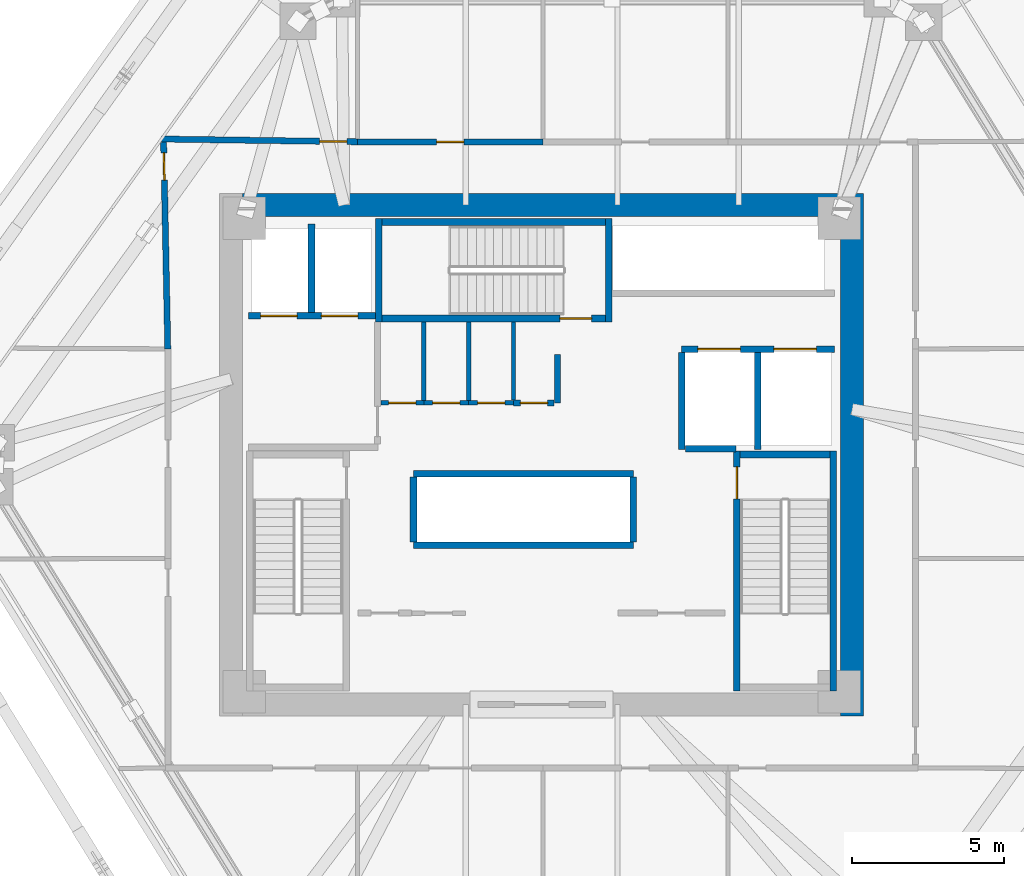
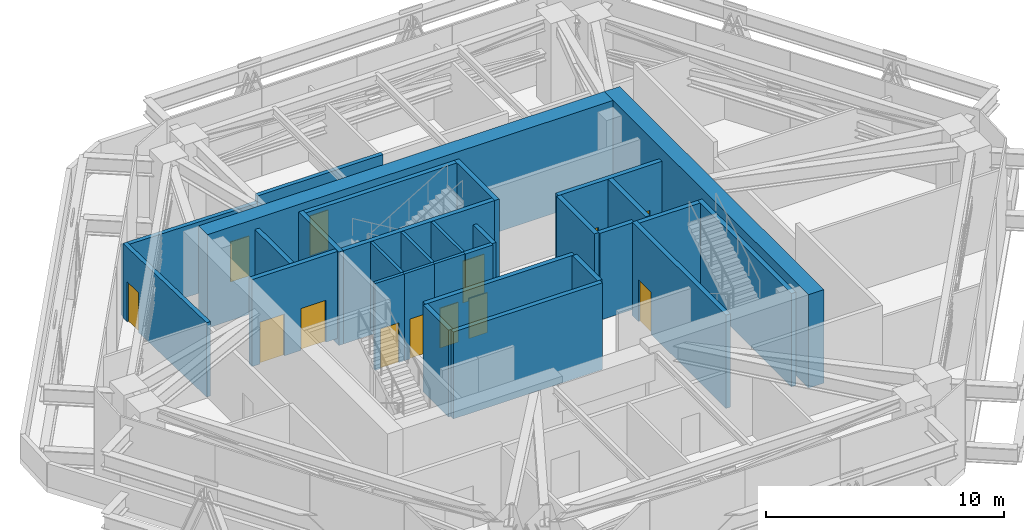
# One storey, part 9 of 11: 30 walls, 13 doors, 13 openings.
"""IFC4 building model written with IfcOpenShell, lengths in metres."""

from ifc_helpers import new_model, si_unit, direction, frame, frame_2d, origin, place, context, subcontext, project, spatial, rectangle, extrude, source, transform, mapped, material, layer, layer_set, type_object, type_shapes, element, fill, save


model = new_model("IFC4")

# Units and contexts
model_context = context("Model", 3, precision=1e-05, world=origin(), true_north=direction((0.0, 1.0)))
body_context = subcontext(model_context, "Body", "Model", "MODEL_VIEW")
ifc_project = project(units=[si_unit("LENGTHUNIT", "METRE"), si_unit("AREAUNIT", "SQUARE_METRE"), si_unit("VOLUMEUNIT", "CUBIC_METRE"), si_unit("PLANEANGLEUNIT", "RADIAN"), si_unit("MASSUNIT", "GRAM", prefix="KILO")], contexts=[model_context])

# Site, building, storey
site_placement = place(None, origin())
site = spatial("IfcSite", under=ifc_project, at=site_placement, CompositionType="ELEMENT")
building_placement = place(site_placement, origin())
building = spatial("IfcBuilding", under=site, at=building_placement, Name="Durnholm Broadcast Tower", CompositionType="ELEMENT")
storey_placement = place(building_placement, frame((0.0, 0.0, 150.300048828125)))
storey = spatial("IfcBuildingStorey", under=building, at=storey_placement, Name="L41", CompositionType="ELEMENT", Elevation=150.300048828125)

# Walls
ifc_material_1 = material(Name="Concrete C70/85", Category="concrete")
ifc_layer_1 = layer(ifc_material_1, 0.75)
ifc_layer_set_1 = layer_set([ifc_layer_1], Name="Concrete C70/85")
wall_type_1 = type_object("IfcWallType", Name="WALL-CW-750", PredefinedType="SHEAR", material=ifc_layer_set_1)
wall_1_placement = place(storey_placement, frame((10.22509765625, -8.60009765625, 0.0), z_axis=(0.0, 0.0, 1.0), x_axis=(0.0, 1.0, 0.0)))
element("IfcWall", 1, at=wall_1_placement, inside=storey, type_object=wall_type_1, Name="L41 central core shear wall CW-EAST", PredefinedType="SHEAR", context=body_context, shape_type="SweptSolid", body=[
    extrude(rectangle(XDim=17.2001953125, YDim=0.75, at=frame_2d((8.60009765625, 0.0))), origin(), (0.0, 0.0, 1.0), 4.800048828125),
])
wall_2_placement = place(storey_placement, frame((-9.85009765625, 8.22509765625, 0.0), z_axis=(0.0, 0.0, 1.0), x_axis=(1.0, 0.0, 0.0)))
element("IfcWall", 2, at=wall_2_placement, inside=storey, type_object=wall_type_1, Name="L41 central core shear wall CW-N", PredefinedType="SHEAR", context=body_context, shape_type="SweptSolid", body=[
    extrude(rectangle(XDim=19.7001953125, YDim=0.75, at=frame_2d((9.85009765625, 0.0))), origin(), (0.0, 0.0, 1.0), 4.800048828125),
])
ifc_material_2 = material(Name="Fire-Rated Gypsum Shaftwall", Category="concrete")
ifc_layer_2 = layer(ifc_material_2, 0.199951171875)
ifc_layer_set_2 = layer_set([ifc_layer_2], Name="Fire-Rated Gypsum Shaftwall")
wall_type_2 = type_object("IfcWallType", Name="WALL-LOB-200", PredefinedType="SOLIDWALL", material=ifc_layer_set_2)
wall_3_placement = place(storey_placement, frame((0.52001953125, 3.300048828125, 0.0), z_axis=(0.0, 0.0, 1.0), x_axis=(0.0, -1.0, 0.0)))
element("IfcWall", 3, at=wall_3_placement, inside=storey, type_object=wall_type_2, Name="L41 Core Signal Sync Room corridor partition", PredefinedType="SOLIDWALL", context=body_context, shape_type="SweptSolid", body=[
    extrude(rectangle(XDim=1.590087890625, YDim=0.199951171875, at=frame_2d((0.794921875, 0.0))), origin(), (0.0, 0.0, 1.0), 4.46484375),
])

# Wall, opening, door
wall_4_placement = place(storey_placement, frame((0.416015625, 1.7099609375, 0.0), z_axis=(0.0, 0.0, 1.0), x_axis=(-1.0, 0.0, 0.0)))
wall_4 = element("IfcWall", 4, at=wall_4_placement, inside=storey, type_object=wall_type_2, Name="L41 Core Signal Sync Room corridor partition", PredefinedType="SOLIDWALL", context=body_context, shape_type="SweptSolid", body=[
    extrude(rectangle(XDim=1.3359375, YDim=0.199951171875, at=frame_2d((0.66796875, 0.0))), origin(), (0.0, 0.0, 1.0), 4.46484375),
])
opening_1_placement = place(wall_4_placement, frame((0.218017578125, 0.0, 0.0)))
opening_1 = element("IfcOpeningElement", 5, at=opening_1_placement, cuts=wall_4, Name="Opening DC-60R", PredefinedType="OPENING", context=body_context, shape_type="SweptSolid", body=[
    extrude(rectangle(XDim=0.89990234375, YDim=2.050048828125, at=frame_2d((0.449951171875, 1.02490234375))), frame((0.0, 0.10986328125, 0.0), z_axis=(0.0, -1.0, 0.0), x_axis=(1.0, 0.0, 0.0)), (0.0, 0.0, 1.0), 0.219970703125),
])
ifc_material_3 = material(Name="Fire-Rated Core Service Door", Category="steel")
ifc_layer_3 = layer(ifc_material_3, 0.050048828125)
ifc_layer_set_3 = layer_set([ifc_layer_3], Name="Fire-Rated Core Service Door")
door_type_1 = type_object("IfcDoorType", Name="DOOR-CORE-FD60-R", OperationType="NOTDEFINED", PredefinedType="DOOR", material=ifc_layer_set_3)
shared_shape_1 = source(origin(), body_context, "Body", "SweptSolid", [
    extrude(rectangle(XDim=0.89990234375, YDim=2.050048828125, at=frame_2d((0.449951171875, 1.02490234375))), frame((0.0, 0.02490234375, 0.0), z_axis=(0.0, -1.0, 0.0), x_axis=(1.0, 0.0, 0.0)), (0.0, 0.0, 1.0), 0.050048828125),
])
type_shapes(door_type_1, [shared_shape_1])
door_1_placement = place(opening_1_placement, origin())
door_1 = element("IfcDoor", 6, at=door_1_placement, inside=storey, type_object=door_type_1, Name="L41 Core Signal Sync Room entrance door", OperationType="SINGLE_SWING_RIGHT", OverallHeight=2.050048828125, OverallWidth=0.89990234375, PredefinedType="DOOR", context=body_context, shape_type="MappedRepresentation", body=[
    mapped(shared_shape_1, transform((0.0, 0.0, 0.0), x_axis=(1.0, 0.0, 0.0), y_axis=(0.0, 1.0, 0.0), z_axis=(0.0, 0.0, 1.0), scale=1.0)),
])
fill(opening_1, door_1)

wall_5_placement = place(storey_placement, frame((-6.06005859375, 10.31005859375, 0.0), z_axis=(0.0, 0.0, 1.0), x_axis=(-0.999899519245, 0.014175733232, 0.0)))
wall_5 = element("IfcWall", 7, at=wall_5_placement, inside=storey, type_object=wall_type_2, Name="L41 Mechanical Plant Room - Chilled Water Heat Exchanger corridor partition", PredefinedType="SOLIDWALL", context=body_context, shape_type="SweptSolid", body=[
    extrude(rectangle(XDim=6.45849609375, YDim=0.199951171875, at=frame_2d((3.229248046875, 0.0))), origin(), (0.0, 0.0, 1.0), 3.661865234375),
])
opening_2_placement = place(wall_5_placement, frame((0.35009765625, 0.0, 0.0)))
opening_2 = element("IfcOpeningElement", 8, at=opening_2_placement, cuts=wall_5, Name="Opening DC-60L", PredefinedType="OPENING", context=body_context, shape_type="SweptSolid", body=[
    extrude(rectangle(XDim=0.89990234375, YDim=2.050048828125, at=frame_2d((0.449951171875, 1.02490234375))), frame((0.0, 0.10986328125, 0.0), z_axis=(0.0, -1.0, 0.0), x_axis=(1.0, 0.0, 0.0)), (0.0, 0.0, 1.0), 0.219970703125),
])
ifc_layer_4 = layer(ifc_material_3, 0.050048828125)
ifc_layer_set_4 = layer_set([ifc_layer_4], Name="Fire-Rated Core Service Door")
door_type_2 = type_object("IfcDoorType", Name="DOOR-CORE-FD60-L", OperationType="NOTDEFINED", PredefinedType="DOOR", material=ifc_layer_set_4)
shared_shape_2 = source(origin(), body_context, "Body", "SweptSolid", [
    extrude(rectangle(XDim=0.89990234375, YDim=2.050048828125, at=frame_2d((0.449951171875, 1.02490234375))), frame((0.0, 0.02490234375, 0.0), z_axis=(0.0, -1.0, 0.0), x_axis=(1.0, 0.0, 0.0)), (0.0, 0.0, 1.0), 0.050048828125),
])
type_shapes(door_type_2, [shared_shape_2])
door_2_placement = place(opening_2_placement, origin())
door_2 = element("IfcDoor", 9, at=door_2_placement, inside=storey, type_object=door_type_2, Name="L41 Mechanical Plant Room - Chilled Water Heat Exchanger entrance door", OperationType="SINGLE_SWING_LEFT", OverallHeight=2.050048828125, OverallWidth=0.89990234375, PredefinedType="DOOR", context=body_context, shape_type="MappedRepresentation", body=[
    mapped(shared_shape_2, transform((0.0, 0.0, 0.0), x_axis=(1.0, 0.0, 0.0), y_axis=(0.0, 1.0, 0.0), z_axis=(0.0, 0.0, 1.0), scale=1.0)),
])
fill(opening_2, door_2)

wall_6_placement = place(storey_placement, frame((0.0400390625, 10.31005859375, 0.0), z_axis=(0.0, 0.0, 1.0), x_axis=(-1.0, 0.0, 0.0)))
wall_6 = element("IfcWall", 10, at=wall_6_placement, inside=storey, type_object=wall_type_2, Name="L41 Mechanical Plant Room - Dedicated Outdoor Air Handling corridor partition", PredefinedType="SOLIDWALL", context=body_context, shape_type="SweptSolid", body=[
    extrude(rectangle(XDim=6.10009765625, YDim=0.199951171875, at=frame_2d((3.050048828125, 0.0))), origin(), (0.0, 0.0, 1.0), 4.0283203125),
])
opening_3_placement = place(wall_6_placement, frame((2.60009765625, 0.0, 0.0)))
opening_3 = element("IfcOpeningElement", 11, at=opening_3_placement, cuts=wall_6, Name="Opening DC-60R", PredefinedType="OPENING", context=body_context, shape_type="SweptSolid", body=[
    extrude(rectangle(XDim=0.89990234375, YDim=2.050048828125, at=frame_2d((0.449951171875, 1.02490234375))), frame((0.0, 0.10986328125, 0.0), z_axis=(0.0, -1.0, 0.0), x_axis=(1.0, 0.0, 0.0)), (0.0, 0.0, 1.0), 0.219970703125),
])
door_3_placement = place(opening_3_placement, origin())
door_3 = element("IfcDoor", 12, at=door_3_placement, inside=storey, type_object=door_type_1, Name="L41 Mechanical Plant Room - Dedicated Outdoor Air Handling entrance door", OperationType="SINGLE_SWING_RIGHT", OverallHeight=2.050048828125, OverallWidth=0.89990234375, PredefinedType="DOOR", context=body_context, shape_type="MappedRepresentation", body=[
    mapped(shared_shape_1, transform((0.0, 0.0, 0.0), x_axis=(1.0, 0.0, 0.0), y_axis=(0.0, 1.0, 0.0), z_axis=(0.0, 0.0, 1.0), scale=1.0)),
])
fill(opening_3, door_3)

wall_7_placement = place(storey_placement, frame((-12.448974609375, 10.29638671875, 0.0), z_axis=(0.0, 0.0, 1.0), x_axis=(0.020190295039, -0.999796155217, 0.0)))
wall_7 = element("IfcWall", 13, at=wall_7_placement, inside=storey, type_object=wall_type_2, Name="L41 Mechanical Plant Room - Telecom Cooling Distribution corridor partition", PredefinedType="SOLIDWALL", context=body_context, shape_type="SweptSolid", body=[
    extrude(rectangle(XDim=6.807861328125, YDim=0.199951171875, at=frame_2d((3.40380859375, 0.0))), origin(), (0.0, 0.0, 1.0), 3.81884765625),
])
opening_4_placement = place(wall_7_placement, frame((0.35009765625, 0.0, 0.0)))
opening_4 = element("IfcOpeningElement", 14, at=opening_4_placement, cuts=wall_7, Name="Opening DC-60R", PredefinedType="OPENING", context=body_context, shape_type="SweptSolid", body=[
    extrude(rectangle(XDim=0.89990234375, YDim=2.050048828125, at=frame_2d((0.449951171875, 1.02490234375))), frame((0.0, 0.10986328125, 0.0), z_axis=(0.0, -1.0, 0.0), x_axis=(1.0, 0.0, 0.0)), (0.0, 0.0, 1.0), 0.219970703125),
])
door_4_placement = place(opening_4_placement, origin())
door_4 = element("IfcDoor", 15, at=door_4_placement, inside=storey, type_object=door_type_1, Name="L41 Mechanical Plant Room - Telecom Cooling Distribution entrance door", OperationType="SINGLE_SWING_RIGHT", OverallHeight=2.050048828125, OverallWidth=0.89990234375, PredefinedType="DOOR", context=body_context, shape_type="MappedRepresentation", body=[
    mapped(shared_shape_1, transform((0.0, 0.0, 0.0), x_axis=(1.0, 0.0, 0.0), y_axis=(0.0, 1.0, 0.0), z_axis=(0.0, 0.0, 1.0), scale=1.0)),
])
fill(opening_4, door_4)

# Walls
ifc_material_4 = material(Name="Gypsum Metal Stud Partition", Category="concrete")
ifc_layer_5 = layer(ifc_material_4, 0.135009765625)
ifc_layer_set_5 = layer_set([ifc_layer_5], Name="Gypsum Metal Stud Partition")
wall_type_3 = type_object("IfcWallType", Name="WALL-PART-135", PredefinedType="PARTITIONING", material=ifc_layer_set_5)
for number, where, z_axis, x_axis, name in (
    (16, (-3.8798828125, 4.375, 0.0), (0.0, 0.0, 1.0), (0.0, -1.0, 0.0), "L41 room dividing partition 4.5"),
    (17, (-2.39990234375, 4.375, 0.0), (0.0, 0.0, 1.0), (0.0, -1.0, 0.0), "L41 room dividing partition 5.6"),
):
    element("IfcWall", number, at=place(storey_placement, frame(where, z_axis=z_axis, x_axis=x_axis)), inside=storey, type_object=wall_type_3, Name=name, PredefinedType="PARTITIONING", context=body_context, shape_type="SweptSolid", body=[
        extrude(rectangle(XDim=2.5859375, YDim=0.135009765625, at=frame_2d((1.29296875, 0.0))), origin(), (0.0, 0.0, 1.0), 4.46484375),
    ])
wall_8_placement = place(storey_placement, frame((-0.919921875, 4.375, 0.0), z_axis=(0.0, 0.0, 1.0), x_axis=(0.0, -1.0, 0.0)))
element("IfcWall", 18, at=wall_8_placement, inside=storey, type_object=wall_type_3, Name="L41 room dividing partition 6.7", PredefinedType="PARTITIONING", context=body_context, shape_type="SweptSolid", body=[
    extrude(rectangle(XDim=2.56103515625, YDim=0.135009765625, at=frame_2d((1.280517578125, 0.0))), origin(), (0.0, 0.0, 1.0), 4.46484375),
])

# Wall, opening, door
ifc_material_5 = material(Name="Acoustic Gypsum Stud Partition", Category="concrete")
ifc_layer_6 = layer(ifc_material_5, 0.14990234375)
ifc_layer_set_6 = layer_set([ifc_layer_6], Name="Acoustic Gypsum Stud Partition")
wall_type_4 = type_object("IfcWallType", Name="WALL-PART-150", PredefinedType="PARTITIONING", material=ifc_layer_set_6)
wall_9_placement = place(storey_placement, frame((-3.8798828125, 1.7099609375, 0.0), z_axis=(0.0, 0.0, 1.0), x_axis=(-1.0, 0.0, 0.0)))
wall_9 = element("IfcWall", 19, at=wall_9_placement, inside=storey, type_object=wall_type_4, Name="L41 Core First Aid Store corridor partition", PredefinedType="PARTITIONING", context=body_context, shape_type="SweptSolid", body=[
    extrude(rectangle(XDim=1.416015625, YDim=0.14990234375, at=frame_2d((0.7080078125, 0.0))), origin(), (0.0, 0.0, 1.0), 4.46484375),
])
opening_5_placement = place(wall_9_placement, frame((0.258056640625, 0.0, 0.0)))
opening_5 = element("IfcOpeningElement", 20, at=opening_5_placement, cuts=wall_9, Name="Opening DC-60L", PredefinedType="OPENING", context=body_context, shape_type="SweptSolid", body=[
    extrude(rectangle(XDim=0.89990234375, YDim=2.050048828125, at=frame_2d((0.449951171875, 1.02490234375))), frame((0.0, 0.0849609375, 0.0), z_axis=(0.0, -1.0, 0.0), x_axis=(1.0, 0.0, 0.0)), (0.0, 0.0, 1.0), 0.169921875),
])
door_5_placement = place(opening_5_placement, origin())
door_5 = element("IfcDoor", 21, at=door_5_placement, inside=storey, type_object=door_type_2, Name="L41 Core First Aid Store entrance door", OperationType="SINGLE_SWING_LEFT", OverallHeight=2.050048828125, OverallWidth=0.89990234375, PredefinedType="DOOR", context=body_context, shape_type="MappedRepresentation", body=[
    mapped(shared_shape_2, transform((0.0, 0.0, 0.0), x_axis=(1.0, 0.0, 0.0), y_axis=(0.0, 1.0, 0.0), z_axis=(0.0, 0.0, 1.0), scale=1.0)),
])
fill(opening_5, door_5)

wall_10_placement = place(storey_placement, frame((-2.39990234375, 1.7099609375, 0.0), z_axis=(0.0, 0.0, 1.0), x_axis=(-1.0, 0.0, 0.0)))
wall_10 = element("IfcWall", 22, at=wall_10_placement, inside=storey, type_object=wall_type_4, Name="L41 Core Linen Supply Closet corridor partition", PredefinedType="PARTITIONING", context=body_context, shape_type="SweptSolid", body=[
    extrude(rectangle(XDim=1.47998046875, YDim=0.14990234375, at=frame_2d((0.739990234375, 0.0))), origin(), (0.0, 0.0, 1.0), 4.46484375),
])
opening_6_placement = place(wall_10_placement, frame((0.2900390625, 0.0, 0.0)))
opening_6 = element("IfcOpeningElement", 23, at=opening_6_placement, cuts=wall_10, Name="Opening DC-60R", PredefinedType="OPENING", context=body_context, shape_type="SweptSolid", body=[
    extrude(rectangle(XDim=0.89990234375, YDim=2.050048828125, at=frame_2d((0.449951171875, 1.02490234375))), frame((0.0, 0.0849609375, 0.0), z_axis=(0.0, -1.0, 0.0), x_axis=(1.0, 0.0, 0.0)), (0.0, 0.0, 1.0), 0.169921875),
])
door_6_placement = place(opening_6_placement, origin())
door_6 = element("IfcDoor", 24, at=door_6_placement, inside=storey, type_object=door_type_1, Name="L41 Core Linen Supply Closet entrance door", OperationType="SINGLE_SWING_RIGHT", OverallHeight=2.050048828125, OverallWidth=0.89990234375, PredefinedType="DOOR", context=body_context, shape_type="MappedRepresentation", body=[
    mapped(shared_shape_1, transform((0.0, 0.0, 0.0), x_axis=(1.0, 0.0, 0.0), y_axis=(0.0, 1.0, 0.0), z_axis=(0.0, 0.0, 1.0), scale=1.0)),
])
fill(opening_6, door_6)

wall_11_placement = place(storey_placement, frame((-0.919921875, 1.7099609375, 0.0), z_axis=(0.0, 0.0, 1.0), x_axis=(-1.0, 0.0, 0.0)))
wall_11 = element("IfcWall", 25, at=wall_11_placement, inside=storey, type_object=wall_type_4, Name="L41 Core Safety Gear Store corridor partition", PredefinedType="PARTITIONING", context=body_context, shape_type="SweptSolid", body=[
    extrude(rectangle(XDim=1.47998046875, YDim=0.14990234375, at=frame_2d((0.739990234375, 0.0))), origin(), (0.0, 0.0, 1.0), 4.46484375),
])
opening_7_placement = place(wall_11_placement, frame((0.2900390625, 0.0, 0.0)))
opening_7 = element("IfcOpeningElement", 26, at=opening_7_placement, cuts=wall_11, Name="Opening DC-60L", PredefinedType="OPENING", context=body_context, shape_type="SweptSolid", body=[
    extrude(rectangle(XDim=0.89990234375, YDim=2.050048828125, at=frame_2d((0.449951171875, 1.02490234375))), frame((0.0, 0.0849609375, 0.0), z_axis=(0.0, -1.0, 0.0), x_axis=(1.0, 0.0, 0.0)), (0.0, 0.0, 1.0), 0.169921875),
])
door_7_placement = place(opening_7_placement, origin())
door_7 = element("IfcDoor", 27, at=door_7_placement, inside=storey, type_object=door_type_2, Name="L41 Core Safety Gear Store entrance door", OperationType="SINGLE_SWING_LEFT", OverallHeight=2.050048828125, OverallWidth=0.89990234375, PredefinedType="DOOR", context=body_context, shape_type="MappedRepresentation", body=[
    mapped(shared_shape_2, transform((0.0, 0.0, 0.0), x_axis=(1.0, 0.0, 0.0), y_axis=(0.0, 1.0, 0.0), z_axis=(0.0, 0.0, 1.0), scale=1.0)),
])
fill(opening_7, door_7)

# Wall, openings, doors
ifc_material_6 = material(Name="Concrete Blockwork C30/37", Category="masonry")
ifc_layer_7 = layer(ifc_material_6, 0.219970703125)
ifc_layer_set_7 = layer_set([ifc_layer_7], Name="Concrete Blockwork C30/37")
wall_type_5 = type_object("IfcWallType", Name="WALL-SHAFT-220", PredefinedType="SOLIDWALL", material=ifc_layer_set_7)
wall_12_placement = place(storey_placement, frame((-9.64990234375, 4.580078125, 0.0), z_axis=(0.0, 0.0, 1.0), x_axis=(1.0, 0.0, 0.0)))
wall_12 = element("IfcWall", 28, at=wall_12_placement, inside=storey, type_object=wall_type_5, Name="L41 FSAE hoistway front fire wall", PredefinedType="SOLIDWALL", context=body_context, shape_type="SweptSolid", body=[
    extrude(rectangle(XDim=4.1748046875, YDim=0.219970703125, at=frame_2d((2.08740234375, 0.0))), origin(), (0.0, 0.0, 1.0), 4.46484375),
])
opening_8_placement = place(wall_12_placement, frame((0.39990234375, 0.0, 0.0)))
opening_8 = element("IfcOpeningElement", 29, at=opening_8_placement, cuts=wall_12, Name="Opening LD-FSAE-2", PredefinedType="OPENING", context=body_context, shape_type="SweptSolid", body=[
    extrude(rectangle(XDim=1.199951171875, YDim=2.14990234375, at=frame_2d((0.60009765625, 1.074951171875))), frame((0.0, 0.1201171875, 0.0), z_axis=(0.0, -1.0, 0.0), x_axis=(1.0, 0.0, 0.0)), (0.0, 0.0, 1.0), 0.239990234375),
])
opening_9_placement = place(wall_12_placement, frame((2.39990234375, 0.0, 0.0)))
opening_9 = element("IfcOpeningElement", 30, at=opening_9_placement, cuts=wall_12, Name="Opening LD-FSAE-1", PredefinedType="OPENING", context=body_context, shape_type="SweptSolid", body=[
    extrude(rectangle(XDim=1.199951171875, YDim=2.14990234375, at=frame_2d((0.60009765625, 1.074951171875))), frame((0.0, 0.1201171875, 0.0), z_axis=(0.0, -1.0, 0.0), x_axis=(1.0, 0.0, 0.0)), (0.0, 0.0, 1.0), 0.239990234375),
])
ifc_material_7 = material(Name="Fire Service Access Sliding Landing Door", Category="steel")
ifc_layer_8 = layer(ifc_material_7, 0.050048828125)
ifc_layer_set_8 = layer_set([ifc_layer_8], Name="Fire Service Access Sliding Landing Door")
door_type_3 = type_object("IfcDoorType", Name="DOOR-LIFT-FSAE", OperationType="DOUBLE_DOOR_SLIDING", PredefinedType="DOOR", material=ifc_layer_set_8)
shared_shape_3 = source(origin(), body_context, "Body", "SweptSolid", [
    extrude(rectangle(XDim=1.199951171875, YDim=2.14990234375, at=frame_2d((0.60009765625, 1.074951171875))), frame((0.0, 0.02490234375, 0.0), z_axis=(0.0, -1.0, 0.0), x_axis=(1.0, 0.0, 0.0)), (0.0, 0.0, 1.0), 0.050048828125),
])
type_shapes(door_type_3, [shared_shape_3])
door_8_placement = place(opening_8_placement, origin())
door_8 = element("IfcDoor", 31, at=door_8_placement, inside=storey, type_object=door_type_3, Name="L41 Fire Service Access Elevator FSAE-2 sliding landing door", OperationType="DOUBLE_DOOR_SLIDING", OverallHeight=2.14990234375, OverallWidth=1.199951171875, PredefinedType="DOOR", context=body_context, shape_type="MappedRepresentation", body=[
    mapped(shared_shape_3, transform((0.0, 0.0, 0.0), x_axis=(1.0, 0.0, 0.0), y_axis=(0.0, 1.0, 0.0), z_axis=(0.0, 0.0, 1.0), scale=1.0)),
])
fill(opening_8, door_8)
door_9_placement = place(opening_9_placement, origin())
door_9 = element("IfcDoor", 32, at=door_9_placement, inside=storey, type_object=door_type_3, Name="L41 Fire Service Access Elevator FSAE-1 sliding landing door", OperationType="DOUBLE_DOOR_SLIDING", OverallHeight=2.14990234375, OverallWidth=1.199951171875, PredefinedType="DOOR", context=body_context, shape_type="MappedRepresentation", body=[
    mapped(shared_shape_3, transform((0.0, 0.0, 0.0), x_axis=(1.0, 0.0, 0.0), y_axis=(0.0, 1.0, 0.0), z_axis=(0.0, 0.0, 1.0), scale=1.0)),
])
fill(opening_9, door_9)

# Wall
wall_13_placement = place(storey_placement, frame((-7.580078125, 4.694091796875, 0.0), z_axis=(0.0, 0.0, 1.0), x_axis=(0.0, 1.0, 0.0)))
element("IfcWall", 33, at=wall_13_placement, inside=storey, type_object=wall_type_5, Name="L41 FSAE shaft divider wall", PredefinedType="SOLIDWALL", context=body_context, shape_type="SweptSolid", body=[
    extrude(rectangle(XDim=2.906005859375, YDim=0.219970703125, at=frame_2d((1.453125, 0.0))), origin(), (0.0, 0.0, 1.0), 4.46484375),
])

# Wall, openings, doors
wall_14_placement = place(storey_placement, frame((4.60009765625, 3.47998046875, 0.0), z_axis=(0.0, 0.0, 1.0), x_axis=(1.0, 0.0, 0.0)))
wall_14 = element("IfcWall", 34, at=wall_14_placement, inside=storey, type_object=wall_type_5, Name="L41 freight service lifts north front wall", PredefinedType="SOLIDWALL", context=body_context, shape_type="SweptSolid", body=[
    extrude(rectangle(XDim=5.0498046875, YDim=0.219970703125, at=frame_2d((2.52490234375, 0.0))), origin(), (0.0, 0.0, 1.0), 4.46484375),
])
opening_10_placement = place(wall_14_placement, frame((0.550048828125, 0.0, 0.0)))
opening_10 = element("IfcOpeningElement", 35, at=opening_10_placement, cuts=wall_14, Name="Opening LD-SVL-2", PredefinedType="OPENING", context=body_context, shape_type="SweptSolid", body=[
    extrude(rectangle(XDim=1.39990234375, YDim=2.14990234375, at=frame_2d((0.699951171875, 1.074951171875))), frame((0.0, 0.1201171875, 0.0), z_axis=(0.0, -1.0, 0.0), x_axis=(1.0, 0.0, 0.0)), (0.0, 0.0, 1.0), 0.239990234375),
])
opening_11_placement = place(wall_14_placement, frame((3.050048828125, 0.0, 0.0)))
opening_11 = element("IfcOpeningElement", 36, at=opening_11_placement, cuts=wall_14, Name="Opening LD-SVL-1", PredefinedType="OPENING", context=body_context, shape_type="SweptSolid", body=[
    extrude(rectangle(XDim=1.39990234375, YDim=2.14990234375, at=frame_2d((0.699951171875, 1.074951171875))), frame((0.0, 0.1201171875, 0.0), z_axis=(0.0, -1.0, 0.0), x_axis=(1.0, 0.0, 0.0)), (0.0, 0.0, 1.0), 0.239990234375),
])
ifc_material_8 = material(Name="Freight Elevator Bi-Parting Sliding Landing Door", Category="steel")
ifc_layer_9 = layer(ifc_material_8, 0.050048828125)
ifc_layer_set_9 = layer_set([ifc_layer_9], Name="Freight Elevator Bi-Parting Sliding Landing Door")
door_type_4 = type_object("IfcDoorType", Name="DOOR-LIFT-SVL", OperationType="DOUBLE_DOOR_SLIDING", PredefinedType="DOOR", material=ifc_layer_set_9)
shared_shape_4 = source(origin(), body_context, "Body", "SweptSolid", [
    extrude(rectangle(XDim=1.39990234375, YDim=2.14990234375, at=frame_2d((0.699951171875, 1.074951171875))), frame((0.0, 0.02490234375, 0.0), z_axis=(0.0, -1.0, 0.0), x_axis=(1.0, 0.0, 0.0)), (0.0, 0.0, 1.0), 0.050048828125),
])
type_shapes(door_type_4, [shared_shape_4])
door_10_placement = place(opening_10_placement, origin())
door_10 = element("IfcDoor", 37, at=door_10_placement, inside=storey, type_object=door_type_4, Name="L41 freight service elevator SVL-2 sliding landing door", OperationType="DOUBLE_DOOR_SLIDING", OverallHeight=2.14990234375, OverallWidth=1.39990234375, PredefinedType="DOOR", context=body_context, shape_type="MappedRepresentation", body=[
    mapped(shared_shape_4, transform((0.0, 0.0, 0.0), x_axis=(1.0, 0.0, 0.0), y_axis=(0.0, 1.0, 0.0), z_axis=(0.0, 0.0, 1.0), scale=1.0)),
])
fill(opening_10, door_10)
door_11_placement = place(opening_11_placement, origin())
door_11 = element("IfcDoor", 38, at=door_11_placement, inside=storey, type_object=door_type_4, Name="L41 freight service elevator SVL-1 sliding landing door", OperationType="DOUBLE_DOOR_SLIDING", OverallHeight=2.14990234375, OverallWidth=1.39990234375, PredefinedType="DOOR", context=body_context, shape_type="MappedRepresentation", body=[
    mapped(shared_shape_4, transform((0.0, 0.0, 0.0), x_axis=(1.0, 0.0, 0.0), y_axis=(0.0, 1.0, 0.0), z_axis=(0.0, 0.0, 1.0), scale=1.0)),
])
fill(opening_11, door_11)

# Walls
for number, where, z_axis, x_axis, name in (
    (39, (4.6201171875, 0.179931640625, 0.0), (0.0, 0.0, 1.0), (0.0, 1.0, 0.0), "L41 freight service lift SVL-2 west wall"),
    (40, (7.1201171875, 0.179931640625, 0.0), (0.0, 0.0, 1.0), (0.0, 1.0, 0.0), "L41 freight service lifts divider wall"),
):
    element("IfcWall", number, at=place(storey_placement, frame(where, z_axis=z_axis, x_axis=x_axis)), inside=storey, type_object=wall_type_5, Name=name, PredefinedType="SOLIDWALL", context=body_context, shape_type="SweptSolid", body=[
        extrude(rectangle(XDim=3.18603515625, YDim=0.219970703125, at=frame_2d((1.593017578125, 0.0))), origin(), (0.0, 0.0, 1.0), 4.46484375),
    ])
wall_15_placement = place(storey_placement, frame((4.73388671875, 0.199951171875, 0.0), z_axis=(0.0, 0.0, 1.0), x_axis=(1.0, 0.0, 0.0)))
element("IfcWall", 41, at=wall_15_placement, inside=storey, type_object=wall_type_5, Name="L41 freight service lift SVL-2 south wall", PredefinedType="SOLIDWALL", context=body_context, shape_type="SweptSolid", body=[
    extrude(rectangle(XDim=1.666015625, YDim=0.219970703125, at=frame_2d((0.8330078125, 0.0))), origin(), (0.0, 0.0, 1.0), 4.46484375),
])
for number, where, z_axis, x_axis, name in (
    (42, (-4.219970703125, -2.97998046875, 0.0), (0.0, 0.0, 1.0), (1.0, 0.0, 0.0), "L41 mid-rise bank P2 south front wall"),
    (43, (-4.219970703125, -0.6201171875, 0.0), (0.0, 0.0, 1.0), (1.0, 0.0, 0.0), "L41 mid-rise bank P2 north shaft wall"),
):
    element("IfcWall", number, at=place(storey_placement, frame(where, z_axis=z_axis, x_axis=x_axis)), inside=storey, type_object=wall_type_5, Name=name, PredefinedType="SOLIDWALL", context=body_context, shape_type="SweptSolid", body=[
        extrude(rectangle(XDim=7.239990234375, YDim=0.219970703125, at=frame_2d((3.6201171875, 0.0))), origin(), (0.0, 0.0, 1.0), 4.46484375),
    ])
for number, where, z_axis, x_axis, name in (
    (44, (-4.219970703125, -2.865966796875, 0.0), (0.0, 0.0, 1.0), (0.0, 1.0, 0.0), "L41 mid-rise bank P2 west shaft wall"),
    (45, (3.02001953125, -2.865966796875, 0.0), (0.0, 0.0, 1.0), (0.0, 1.0, 0.0), "L41 mid-rise bank P2 east shaft wall"),
):
    element("IfcWall", number, at=place(storey_placement, frame(where, z_axis=z_axis, x_axis=x_axis)), inside=storey, type_object=wall_type_5, Name=name, PredefinedType="SOLIDWALL", context=body_context, shape_type="SweptSolid", body=[
        extrude(rectangle(XDim=2.132080078125, YDim=0.219970703125, at=frame_2d((1.06591796875, 0.0))), origin(), (0.0, 0.0, 1.0), 4.46484375),
    ])
ifc_material_9 = material(Name="Concrete C50/60", Category="concrete")
ifc_layer_10 = layer(ifc_material_9, 0.219970703125)
ifc_layer_set_10 = layer_set([ifc_layer_10], Name="Concrete C50/60")
wall_type_6 = type_object("IfcWallType", Name="WALL-SW-220", PredefinedType="SHEAR", material=ifc_layer_set_10)
wall_16_placement = place(storey_placement, frame((9.610107421875, -7.77001953125, -0.320068359375), z_axis=(0.0, 0.0, 1.0), x_axis=(0.0, 1.0, 0.0)))
element("IfcWall", 46, at=wall_16_placement, inside=storey, type_object=wall_type_6, Name="L41 stair ST-2 structural shaft wall E", PredefinedType="SHEAR", context=body_context, shape_type="SweptSolid", body=[
    extrude(rectangle(XDim=7.89013671875, YDim=0.219970703125, at=frame_2d((3.945068359375, 0.0))), origin(), (0.0, 0.0, 1.0), 4.800048828125),
])

# Wall, opening, door
wall_17_placement = place(storey_placement, frame((6.429931640625, 0.1201171875, -0.320068359375), z_axis=(0.0, 0.0, 1.0), x_axis=(0.0, -1.0, 0.0)))
wall_17 = element("IfcWall", 47, at=wall_17_placement, inside=storey, type_object=wall_type_6, Name="L41 stair ST-2 structural shaft wall W", PredefinedType="SHEAR", context=body_context, shape_type="SweptSolid", body=[
    extrude(rectangle(XDim=7.89013671875, YDim=0.219970703125, at=frame_2d((3.945068359375, 0.0))), origin(), (0.0, 0.0, 1.0), 4.800048828125),
])
opening_12_placement = place(wall_17_placement, frame((0.52001953125, 0.0, 0.0)))
opening_12 = element("IfcOpeningElement", 48, at=opening_12_placement, cuts=wall_17, Name="Opening DS-90R", PredefinedType="OPENING", context=body_context, shape_type="SweptSolid", body=[
    extrude(rectangle(XDim=1.050048828125, YDim=2.14990234375, at=frame_2d((0.52490234375, 1.074951171875))), frame((0.0, 0.1201171875, 0.0), z_axis=(0.0, -1.0, 0.0), x_axis=(1.0, 0.0, 0.0)), (0.0, 0.0, 1.0), 0.239990234375),
])
ifc_material_10 = material(Name="Fire-Rated Steel Door", Category="steel")
ifc_layer_11 = layer(ifc_material_10, 0.050048828125)
ifc_layer_set_11 = layer_set([ifc_layer_11], Name="Fire-Rated Steel Door")
door_type_5 = type_object("IfcDoorType", Name="DOOR-ST-FD90-R", OperationType="NOTDEFINED", PredefinedType="DOOR", material=ifc_layer_set_11)
shared_shape_5 = source(origin(), body_context, "Body", "SweptSolid", [
    extrude(rectangle(XDim=1.050048828125, YDim=2.14990234375, at=frame_2d((0.52490234375, 1.074951171875))), frame((0.0, 0.02490234375, 0.0), z_axis=(0.0, -1.0, 0.0), x_axis=(1.0, 0.0, 0.0)), (0.0, 0.0, 1.0), 0.050048828125),
])
type_shapes(door_type_5, [shared_shape_5])
door_12_placement = place(opening_12_placement, origin())
door_12 = element("IfcDoor", 49, at=door_12_placement, inside=storey, type_object=door_type_5, Name="L41 exit stair ST-2 fire door", OperationType="SINGLE_SWING_RIGHT", OverallHeight=2.14990234375, OverallWidth=1.050048828125, PredefinedType="DOOR", context=body_context, shape_type="MappedRepresentation", body=[
    mapped(shared_shape_5, transform((0.0, 0.0, 0.0), x_axis=(1.0, 0.0, 0.0), y_axis=(0.0, 1.0, 0.0), z_axis=(0.0, 0.0, 1.0), scale=1.0)),
])
fill(opening_12, door_12)

# Walls
wall_18_placement = place(storey_placement, frame((9.5, 0.010009765625, -0.320068359375), z_axis=(0.0, 0.0, 1.0), x_axis=(-1.0, 0.0, 0.0)))
element("IfcWall", 50, at=wall_18_placement, inside=storey, type_object=wall_type_6, Name="L41 stair ST-2 structural shaft wall N", PredefinedType="SHEAR", context=body_context, shape_type="SweptSolid", body=[
    extrude(rectangle(XDim=2.9599609375, YDim=0.219970703125, at=frame_2d((1.47998046875, 0.0))), origin(), (0.0, 0.0, 1.0), 4.800048828125),
])
for number, where, z_axis, x_axis, name in (
    (51, (2.2099609375, 4.3798828125, -0.320068359375), (0.0, 0.0, 1.0), (0.0, 1.0, 0.0), "L41 stair ST-3 structural shaft wall E"),
    (52, (-5.360107421875, 7.780029296875, -0.320068359375), (0.0, 0.0, 1.0), (0.0, -1.0, 0.0), "L41 stair ST-3 structural shaft wall W"),
):
    element("IfcWall", number, at=place(storey_placement, frame(where, z_axis=z_axis, x_axis=x_axis)), inside=storey, type_object=wall_type_6, Name=name, PredefinedType="SHEAR", context=body_context, shape_type="SweptSolid", body=[
        extrude(rectangle(XDim=3.400146484375, YDim=0.219970703125, at=frame_2d((1.7001953125, 0.0))), origin(), (0.0, 0.0, 1.0), 4.800048828125),
    ])

# Wall, opening, door
wall_19_placement = place(storey_placement, frame((-5.25, 4.489990234375, -0.320068359375), z_axis=(0.0, 0.0, 1.0), x_axis=(1.0, 0.0, 0.0)))
wall_19 = element("IfcWall", 53, at=wall_19_placement, inside=storey, type_object=wall_type_6, Name="L41 stair ST-3 structural shaft wall S", PredefinedType="SHEAR", context=body_context, shape_type="SweptSolid", body=[
    extrude(rectangle(XDim=7.35009765625, YDim=0.219970703125, at=frame_2d((3.675048828125, 0.0))), origin(), (0.0, 0.0, 1.0), 4.800048828125),
])
opening_13_placement = place(wall_19_placement, frame((5.85009765625, 0.0, 0.0)))
opening_13 = element("IfcOpeningElement", 54, at=opening_13_placement, cuts=wall_19, Name="Opening DS-90L", PredefinedType="OPENING", context=body_context, shape_type="SweptSolid", body=[
    extrude(rectangle(XDim=1.050048828125, YDim=2.14990234375, at=frame_2d((0.52490234375, 1.074951171875))), frame((0.0, 0.1201171875, 0.0), z_axis=(0.0, -1.0, 0.0), x_axis=(1.0, 0.0, 0.0)), (0.0, 0.0, 1.0), 0.239990234375),
])
ifc_layer_12 = layer(ifc_material_10, 0.050048828125)
ifc_layer_set_12 = layer_set([ifc_layer_12], Name="Fire-Rated Steel Door")
door_type_6 = type_object("IfcDoorType", Name="DOOR-ST-FD90-L", OperationType="NOTDEFINED", PredefinedType="DOOR", material=ifc_layer_set_12)
shared_shape_6 = source(origin(), body_context, "Body", "SweptSolid", [
    extrude(rectangle(XDim=1.050048828125, YDim=2.14990234375, at=frame_2d((0.52490234375, 1.074951171875))), frame((0.0, 0.02490234375, 0.0), z_axis=(0.0, -1.0, 0.0), x_axis=(1.0, 0.0, 0.0)), (0.0, 0.0, 1.0), 0.050048828125),
])
type_shapes(door_type_6, [shared_shape_6])
door_13_placement = place(opening_13_placement, origin())
door_13 = element("IfcDoor", 55, at=door_13_placement, inside=storey, type_object=door_type_6, Name="L41 exit stair ST-3 fire door", OperationType="SINGLE_SWING_LEFT", OverallHeight=2.14990234375, OverallWidth=1.050048828125, PredefinedType="DOOR", context=body_context, shape_type="MappedRepresentation", body=[
    mapped(shared_shape_6, transform((0.0, 0.0, 0.0), x_axis=(1.0, 0.0, 0.0), y_axis=(0.0, 1.0, 0.0), z_axis=(0.0, 0.0, 1.0), scale=1.0)),
])
fill(opening_13, door_13)

# Wall
wall_20_placement = place(storey_placement, frame((2.10009765625, 7.669921875, -0.320068359375), z_axis=(0.0, 0.0, 1.0), x_axis=(-1.0, 0.0, 0.0)))
element("IfcWall", 56, at=wall_20_placement, inside=storey, type_object=wall_type_6, Name="L41 stair ST-3 structural shaft wall N", PredefinedType="SHEAR", context=body_context, shape_type="SweptSolid", body=[
    extrude(rectangle(XDim=7.35009765625, YDim=0.219970703125, at=frame_2d((3.675048828125, 0.0))), origin(), (0.0, 0.0, 1.0), 4.800048828125),
])

save(model, "model.ifc")
